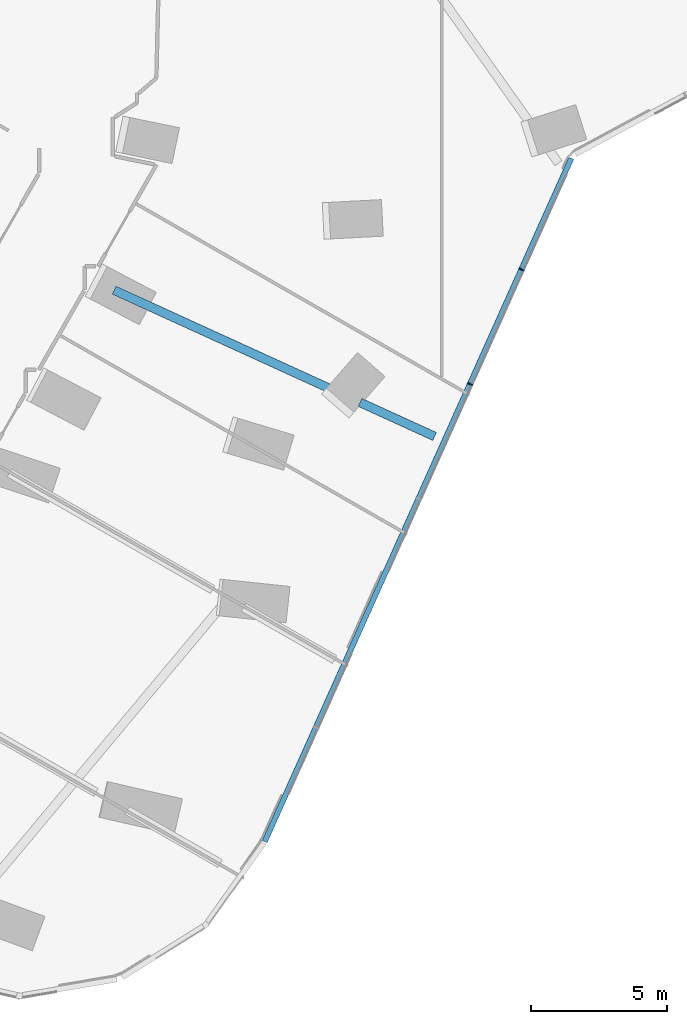
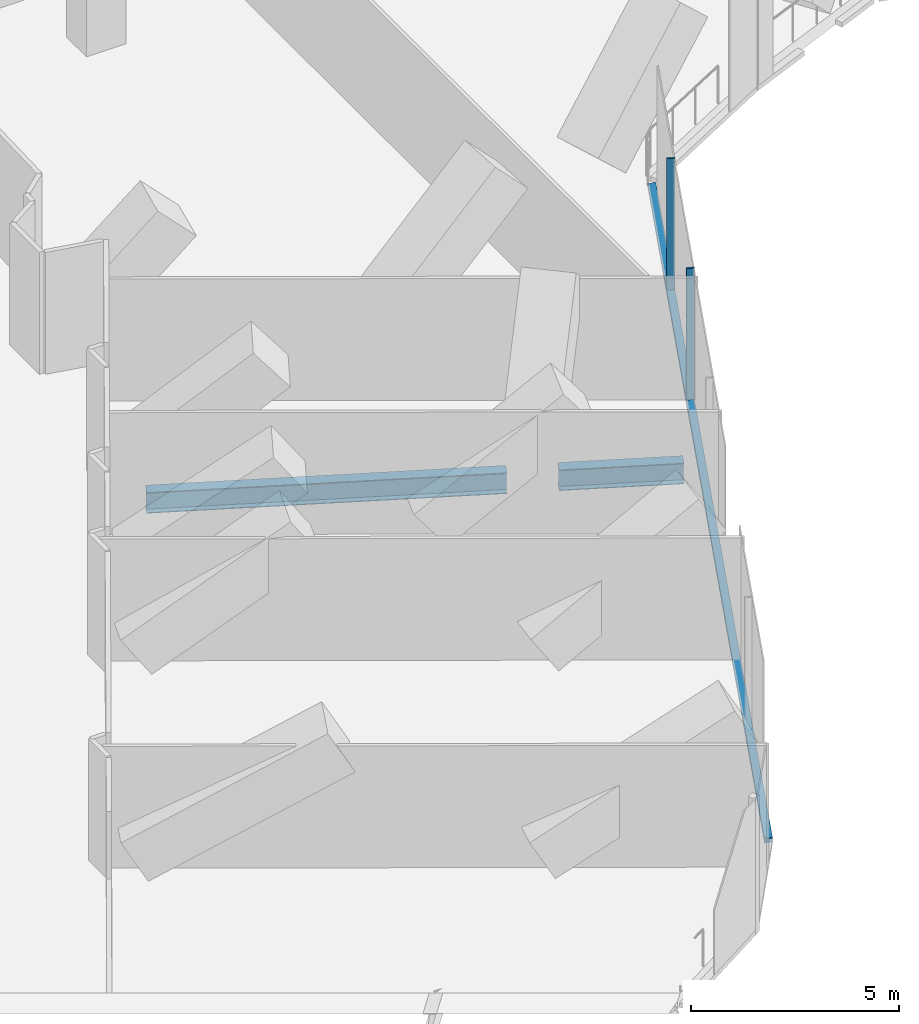
# One storey, part 6 of 37: 3 members, 2 beams, 1 element without a shape of its own.
"""IFC4 building model written with IfcOpenShell, lengths in metres."""

from ifc_helpers import new_model, si_unit, direction, frame, origin, origin_2d, place, context, subcontext, project, spatial, rectangle, i_section, extrude, material, material_profile, profile_set, type_object, element, aggregate, save


model = new_model("IFC4")

# Units and contexts
model_context = context("Model", 3, precision=1e-05, world=origin(), true_north=direction((0.0, 1.0)))
body_context = subcontext(model_context, "Body", "Model", "MODEL_VIEW")
ifc_project = project(units=[si_unit("LENGTHUNIT", "METRE"), si_unit("AREAUNIT", "SQUARE_METRE"), si_unit("VOLUMEUNIT", "CUBIC_METRE"), si_unit("PLANEANGLEUNIT", "RADIAN"), si_unit("MASSUNIT", "GRAM", prefix="KILO")], contexts=[model_context])

# Site, building, storey
site_placement = place(None, origin())
site = spatial("IfcSite", under=ifc_project, at=site_placement, CompositionType="ELEMENT")
building_placement = place(site_placement, origin())
building = spatial("IfcBuilding", under=site, at=building_placement, Name="Orlundy Tower", CompositionType="ELEMENT")
storey_placement = place(building_placement, frame((0.0, 0.0, 119.699951171875)))
storey = spatial("IfcBuildingStorey", under=building, at=storey_placement, Name="L30", CompositionType="ELEMENT", Elevation=119.699951171875)

# Beams
ifc_material_1 = material(Name="Steel ASTM A992 Gr 50", Category="steel")
ifc_material_profile_1 = material_profile(ifc_material_1, i_section(OverallWidth=0.32373046875, OverallDepth=0.611083984375, WebThickness=0.0126953125, FlangeThickness=0.01904296875, at=origin_2d()), Name="W24X104")
ifc_profile_set_1 = profile_set([ifc_material_profile_1], Name="Steel ASTM A992 Gr 50")
beam_type = type_object("IfcBeamType", Name="CANTILEVER GIRDER beam W24X104", PredefinedType="BEAM", material=ifc_profile_set_1)
beam_1_placement = place(storey_placement, frame((3.735595703125, -39.795166015625, -0.70556640625), z_axis=(-0.909690655978, 0.415286540145, 0.0), x_axis=(-0.415286540145, -0.909690655978, 0.0)))
element("IfcBeam", 1, at=beam_1_placement, inside=storey, type_object=beam_type, Name="Cantilever girder C-B5-1 L30", PredefinedType="BEAM", context=body_context, shape_type="SweptSolid", body=[
    extrude(i_section(OverallWidth=0.32373046875, OverallDepth=0.611083984375, WebThickness=0.0126953125, FlangeThickness=0.01904296875, at=origin_2d()), origin(), (0.0, 0.0, 1.0), 3.024169921875),
])
beam_2_placement = place(storey_placement, frame((-0.16064453125, -38.0166015625, -0.70556640625), z_axis=(-0.909720452004, 0.415221265359, 0.0), x_axis=(-0.415221265359, -0.909720452004, 0.0)))
element("IfcBeam", 2, at=beam_2_placement, inside=storey, type_object=beam_type, Name="Back-span girder C-B5-1 L30", PredefinedType="BEAM", context=body_context, shape_type="SweptSolid", body=[
    extrude(i_section(OverallWidth=0.32373046875, OverallDepth=0.611083984375, WebThickness=0.0126953125, FlangeThickness=0.01904296875, at=origin_2d()), origin(), (0.0, 0.0, 1.0), 8.712158203125),
])

# Curtain wall, members
ifc_material_2 = material(Name="Aluminium bronze anodised", Category="aluminium")
curtain_wall_type = type_object("IfcCurtainWallType", Name="CW5 wall", PredefinedType="NOTDEFINED", material=ifc_material_2)
curtain_wall_placement = place(storey_placement, origin())
curtain_wall = element("IfcCurtainWall", 3, at=curtain_wall_placement, inside=storey, type_object=curtain_wall_type, Name="CW5 run 030", PredefinedType="NOTDEFINED")
ifc_material_3 = material(Name="Aluminium bronze anodised", Category="aluminium")
ifc_material_profile_2 = material_profile(ifc_material_3, rectangle(XDim=0.199951171875, YDim=0.050048828125, at=origin_2d()), Name="CW5 mullion 50x200")
ifc_profile_set_2 = profile_set([ifc_material_profile_2], Name="Aluminium bronze anodised")
member_type_1 = type_object("IfcMemberType", Name="CW5 mullion 50x200", PredefinedType="MULLION", material=ifc_profile_set_2)
member_1_placement = place(storey_placement, frame((6.9384765625, -33.634765625, -0.39990234375), z_axis=(0.0, 0.0, 1.0), x_axis=(0.912352676112, -0.409405171428, 0.0)))
member_1 = element("IfcMember", 4, at=member_1_placement, type_object=member_type_1, Name="CW5 mullion 51", PredefinedType="MULLION", context=body_context, shape_type="SweptSolid", body=[
    extrude(rectangle(XDim=0.199951171875, YDim=0.050048828125, at=origin_2d()), origin(), (0.0, 0.0, 1.0), 4.0),
])
member_2_placement = place(storey_placement, frame((5.04248046875, -37.859619140625, -0.39990234375), z_axis=(0.0, 0.0, 1.0), x_axis=(0.912352676112, -0.409405171428, 0.0)))
member_2 = element("IfcMember", 5, at=member_2_placement, type_object=member_type_1, Name="CW5 mullion 52", PredefinedType="MULLION", context=body_context, shape_type="SweptSolid", body=[
    extrude(rectangle(XDim=0.199951171875, YDim=0.050048828125, at=origin_2d()), origin(), (0.0, 0.0, 1.0), 4.0),
])
ifc_material_4 = material(Name="Aluminium bronze anodised", Category="aluminium")
ifc_material_profile_3 = material_profile(ifc_material_4, rectangle(XDim=0.199951171875, YDim=0.139892578125, at=origin_2d()), Name="CW5 transom 200x140")
ifc_profile_set_3 = profile_set([ifc_material_profile_3], Name="Aluminium bronze anodised")
member_type_2 = type_object("IfcMemberType", Name="CW5 transom 200x140", PredefinedType="USERDEFINED", material=ifc_profile_set_3)
member_3_placement = place(storey_placement, frame((8.779296875, -29.5322265625, -0.329833984375), z_axis=(-0.40939908196, -0.912355408649, 0.0), x_axis=(0.912355408649, -0.40939908196, 0.0)))
member_3 = element("IfcMember", 6, at=member_3_placement, type_object=member_type_2, Name="CW5 transom", ObjectType="TRANSOM", PredefinedType="USERDEFINED", context=body_context, shape_type="SweptSolid", body=[
    extrude(rectangle(XDim=0.199951171875, YDim=0.139892578125, at=origin_2d()), origin(), (0.0, 0.0, 1.0), 27.635009765625),
])
aggregate(curtain_wall, [member_1, member_2, member_3])

save(model, "model.ifc")
